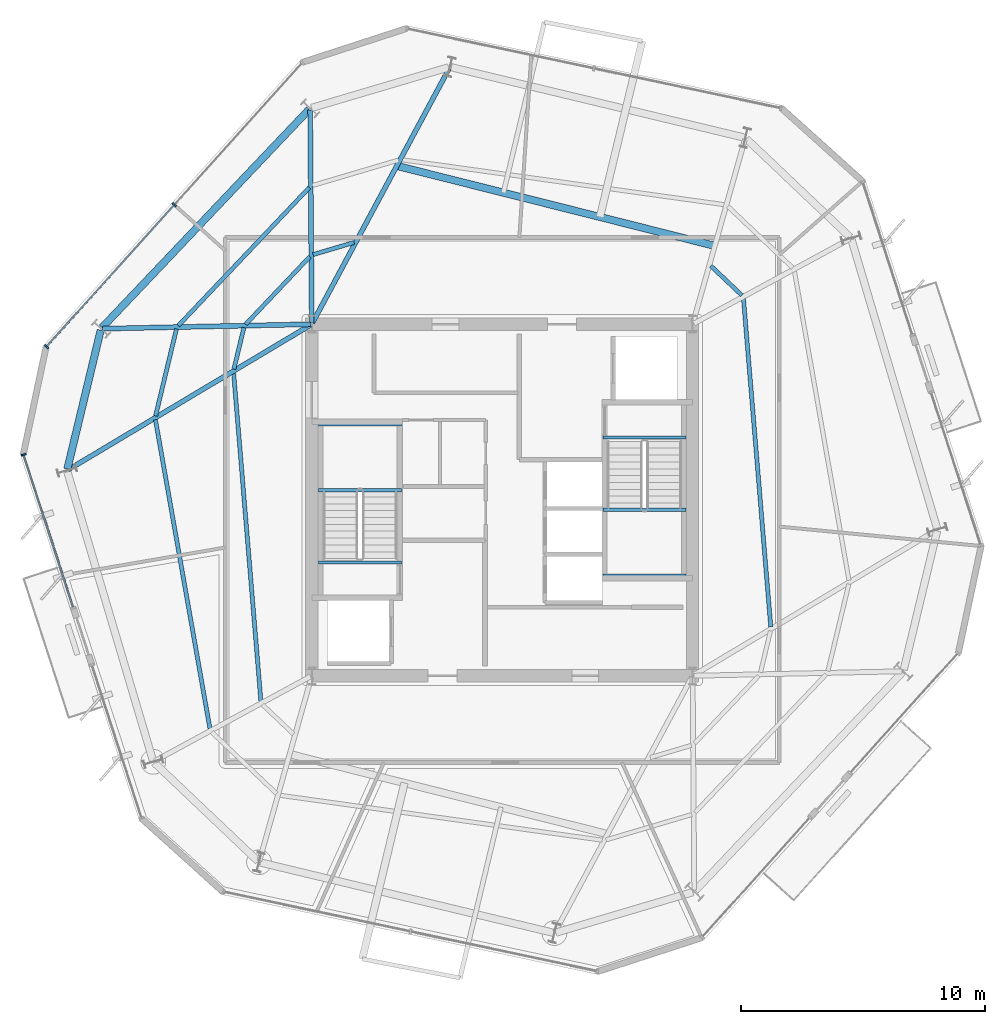
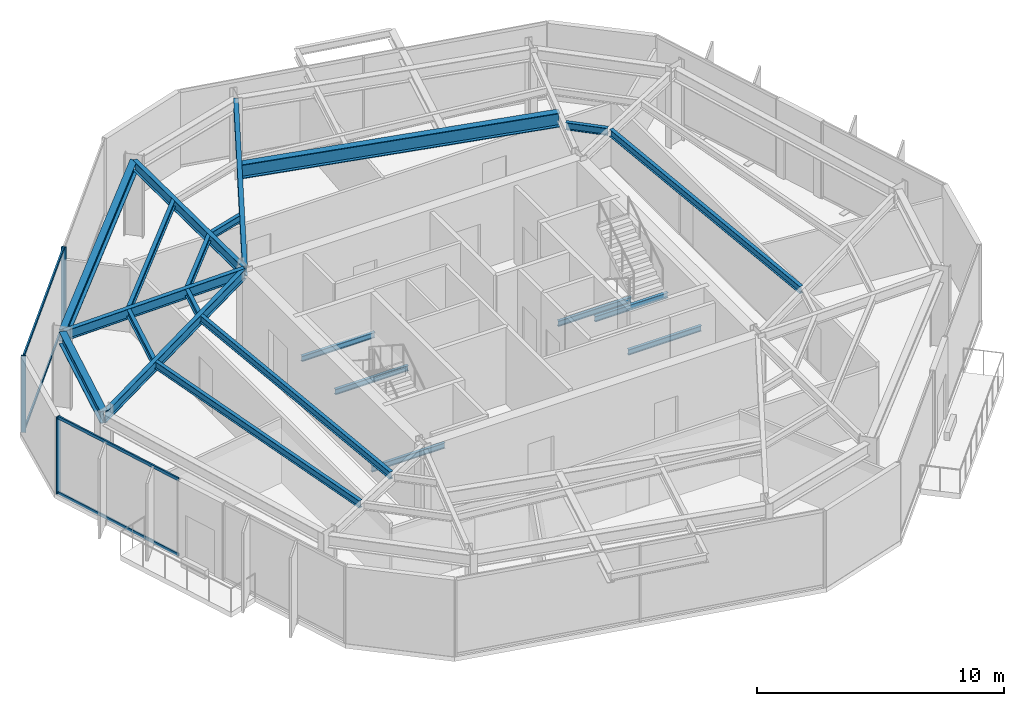
# One storey, part 3 of 11: 22 beams, 7 members, 2 elements without a shape of their own.
"""IFC4 building model written with IfcOpenShell, lengths in metres."""

import ifcopenshell
import ifcopenshell.guid

model = None  # the IFC model being written
_history = None  # IfcOwnerHistory: only IFC2X3 demands one
_inside = {}  # id of a spatial element -> (the spatial element, [elements in it])
_under = {}  # id of a project, library or spatial element -> (it, [spatial elements below it])
_declared = {}  # id of a project -> (the project, [libraries it declares])
_typed = {}  # id of a type object -> (the type object, [elements of that type])
_made_of = {}  # id of a material, layer set ... -> (it, [elements and type objects made of it])


def new_model(schema):
    """Start an empty IFC model of exactly this schema.

    Asked for "IFC4X3", IfcOpenShell would pick the latest addendum, in which some entities
    have other attributes; the version numbers below select the first issue.
    IFC2X3 requires an IfcOwnerHistory on every rooted entity: one is made here for all.
    """
    global model, _history
    if schema == "IFC4X3":
        model = ifcopenshell.file(schema_version=(4, 3, 0, 0))
    else:
        model = ifcopenshell.file(schema=schema)
    _inside.clear()
    _under.clear()
    _declared.clear()
    _typed.clear()
    _made_of.clear()
    _history = None
    if model.schema == "IFC2X3":
        org = make("IfcOrganization", Name="unknown")
        user = make(
            "IfcPersonAndOrganization",
            ThePerson=make("IfcPerson", FamilyName="unknown"),
            TheOrganization=org,
        )
        app = make(
            "IfcApplication",
            ApplicationDeveloper=org,
            Version="unknown",
            ApplicationFullName="unknown",
            ApplicationIdentifier="unknown",
        )
        _history = make(
            "IfcOwnerHistory",
            OwningUser=user,
            OwningApplication=app,
            ChangeAction="ADDED",
            CreationDate=0,
        )
    return model


def make(cls, **values):
    """One entity of the class cls with the attributes given. An attribute that is None is left unset."""
    return model.create_entity(
        cls, **{name: value for name, value in values.items() if value is not None}
    )


def rooted(cls, **values):
    """An entity with a GlobalId (a new one), such as an element, a storey or a relation."""
    return make(cls, GlobalId=ifcopenshell.guid.new(), OwnerHistory=_history, **values)


def si_unit(unit_type, name, prefix=None):
    """IfcSIUnit, for example si_unit("LENGTHUNIT", "METRE", prefix="MILLI")."""
    return make("IfcSIUnit", UnitType=unit_type, Prefix=prefix, Name=name)


def assignment(units):
    """IfcUnitAssignment: the units of a project."""
    return None if units is None else make("IfcUnitAssignment", Units=units)


def point(xyz):
    """IfcCartesianPoint."""
    return None if xyz is None else make("IfcCartesianPoint", Coordinates=xyz)


def direction(xyz):
    """IfcDirection."""
    return None if xyz is None else make("IfcDirection", DirectionRatios=xyz)


def frame(location, z_axis=None, x_axis=None):
    """IfcAxis2Placement3D, a coordinate frame: its origin and axes. An axis left out is left unset."""
    return make(
        "IfcAxis2Placement3D",
        Location=point(location),
        Axis=direction(z_axis),
        RefDirection=direction(x_axis),
    )


def frame_2d(location, x_axis=None):
    """IfcAxis2Placement2D, a coordinate frame in the plane: its origin and x axis."""
    return make(
        "IfcAxis2Placement2D", Location=point(location), RefDirection=direction(x_axis)
    )


def origin():
    """The frame at (0, 0, 0) with its axes left unset."""
    return frame((0.0, 0.0, 0.0))


def origin_2d():
    """The frame at (0, 0) in the plane with its x axis left unset."""
    return frame_2d((0.0, 0.0))


def place(relative_to, where):
    """IfcLocalPlacement: puts the frame where relative to a parent placement (None: the world)."""
    return make(
        "IfcLocalPlacement", PlacementRelTo=relative_to, RelativePlacement=where
    )


def context(
    kind, dimensions, precision=None, world=None, true_north=None, identifier=None
):
    """IfcGeometricRepresentationContext, for example the 3D "Model" context."""
    return make(
        "IfcGeometricRepresentationContext",
        ContextIdentifier=identifier,
        ContextType=kind,
        CoordinateSpaceDimension=dimensions,
        Precision=precision,
        WorldCoordinateSystem=world,
        TrueNorth=true_north,
    )


def subcontext(parent, identifier, kind, view, scale=None):
    """IfcGeometricRepresentationSubContext, for example "Body" below "Model"."""
    return make(
        "IfcGeometricRepresentationSubContext",
        ContextIdentifier=identifier,
        ContextType=kind,
        ParentContext=parent,
        TargetScale=scale,
        TargetView=view,
    )


def project(units=None, contexts=None):
    """IfcProject with its units and contexts."""
    return rooted(
        "IfcProject",
        Name="project",
        RepresentationContexts=contexts,
        UnitsInContext=assignment(units),
    )


def spatial(cls, under=None, at=None, **own):
    """A site, building, storey or space (cls), placed at a placement, below another one or the project."""
    s = rooted(cls, ObjectPlacement=at, **own)
    if under is not None:
        _under.setdefault(under.id(), (under, []))[1].append(s)
    return s


def profile(cls, at=None, kind="AREA", **sizes):
    """A parametric profile (cls). Its sizes go by their IFC names, for example OverallWidth=200.0."""
    return make(cls, ProfileType=kind, Position=at, **sizes)


def rectangle(**sizes):
    """IfcRectangleProfileDef."""
    return profile("IfcRectangleProfileDef", **sizes)


def i_section(**sizes):
    """IfcIShapeProfileDef."""
    return profile("IfcIShapeProfileDef", **sizes)


def extrude(swept, where, along, depth):
    """IfcExtrudedAreaSolid: the profile swept, set in the frame where, extruded along a direction by depth."""
    return make(
        "IfcExtrudedAreaSolid",
        SweptArea=swept,
        Position=where,
        ExtrudedDirection=direction(along),
        Depth=depth,
    )


def shape(context_of_items, identifier, shape_type, items):
    """IfcShapeRepresentation: the items that make up one representation, for example the "Body"."""
    return make(
        "IfcShapeRepresentation",
        ContextOfItems=context_of_items,
        RepresentationIdentifier=identifier,
        RepresentationType=shape_type,
        Items=items,
    )


def material(Name=None, Category=None):
    """IfcMaterial."""
    return make("IfcMaterial", Name=Name, Category=Category)


def layer(
    of_material, thickness, ventilated=None, Name=None, Category=None, Priority=None
):
    """IfcMaterialLayer: one layer of a wall or slab, of a material (None: an air gap)."""
    return make(
        "IfcMaterialLayer",
        Material=of_material,
        LayerThickness=thickness,
        IsVentilated=ventilated,
        Name=Name,
        Category=Category,
        Priority=Priority,
    )


def layer_set(layers, Name=None):
    """IfcMaterialLayerSet."""
    return make("IfcMaterialLayerSet", MaterialLayers=layers, LayerSetName=Name)


def material_profile(
    of_material, cross_section, Name=None, Category=None, Priority=None
):
    """IfcMaterialProfile: a cross section and its material."""
    return make(
        "IfcMaterialProfile",
        Name=Name,
        Material=of_material,
        Profile=cross_section,
        Priority=Priority,
        Category=Category,
    )


def profile_set(profiles, Name=None, composite=None):
    """IfcMaterialProfileSet."""
    return make(
        "IfcMaterialProfileSet",
        Name=Name,
        MaterialProfiles=profiles,
        CompositeProfile=composite,
    )


def made_of(thing, what):
    """Note that an element or type object is made of a material, layer set ...; save() writes the relation."""
    if what is not None:
        _made_of.setdefault(what.id(), (what, []))[1].append(thing)
    return thing


def type_object(cls, material=None, **own):
    """A type object (cls), such as IfcWallType, which elements share."""
    return made_of(rooted(cls, **own), material)


def element(
    cls,
    number,
    at=None,
    inside=None,
    cuts=None,
    type_object=None,
    material=None,
    context=None,
    identifier="Body",
    shape_type=None,
    held_by="IfcProductDefinitionShape",
    body=None,
    shapes=None,
    **own,
):
    """One element of the class cls, such as IfcWall. Its Tag is "e" and its number.

    at: its placement. inside: the storey or other place that contains it. cuts: it is an
    opening in that element (IfcRelVoidsElement). A single representation is given by context,
    identifier, shape_type and body (its items); several are given by shapes. held_by: the class
    of the entity that holds the representations. save() writes the other relations.
    """
    e = rooted(cls, Tag="e%d" % number, ObjectPlacement=at, **own)
    if body is not None:
        shapes = [shape(context, identifier, shape_type, body)]
    if shapes is not None:
        e.Representation = make(held_by, Representations=shapes)
    if inside is not None:
        _inside.setdefault(inside.id(), (inside, []))[1].append(e)
    if cuts is not None:
        rooted(
            "IfcRelVoidsElement", RelatingBuildingElement=cuts, RelatedOpeningElement=e
        )
    if type_object is not None:
        _typed.setdefault(type_object.id(), (type_object, []))[1].append(e)
    return made_of(e, material)


def aggregate(whole, parts):
    """IfcRelAggregates: a whole, such as a stair, and the parts it consists of."""
    return rooted("IfcRelAggregates", RelatingObject=whole, RelatedObjects=parts)


def save(model, path):
    """Write the relations noted so far, then the file.

    IfcRelAggregates (storeys below a building ...), IfcRelContainedInSpatialStructure (elements
    in a storey), IfcRelDefinesByType, IfcRelAssociatesMaterial and IfcRelDeclares: one each for
    every whole, place, type object, material and project.
    """
    for whole, parts in _under.values():
        aggregate(whole, parts)
    for where, things in _inside.values():
        rooted(
            "IfcRelContainedInSpatialStructure",
            RelatedElements=things,
            RelatingStructure=where,
        )
    for kind, things in _typed.values():
        rooted("IfcRelDefinesByType", RelatedObjects=things, RelatingType=kind)
    for what, things in _made_of.values():
        rooted("IfcRelAssociatesMaterial", RelatedObjects=things, RelatingMaterial=what)
    for by, libraries in _declared.values():
        rooted("IfcRelDeclares", RelatingContext=by, RelatedDefinitions=libraries)
    model.write(path)


model = new_model("IFC4")

# Units and contexts
model_context = context("Model", 3, precision=1e-05, world=origin(), true_north=direction((0.0, 1.0)))
body_context = subcontext(model_context, "Body", "Model", "MODEL_VIEW")
ifc_project = project(units=[si_unit("LENGTHUNIT", "METRE"), si_unit("AREAUNIT", "SQUARE_METRE"), si_unit("VOLUMEUNIT", "CUBIC_METRE"), si_unit("PLANEANGLEUNIT", "RADIAN"), si_unit("MASSUNIT", "GRAM", prefix="KILO")], contexts=[model_context])

# Site, building, storey
site_placement = place(None, origin())
site = spatial("IfcSite", under=ifc_project, at=site_placement, CompositionType="ELEMENT")
building_placement = place(site_placement, origin())
building = spatial("IfcBuilding", under=site, at=building_placement, Name="Kranzbogen Civic Tower", CompositionType="ELEMENT")
storey_placement = place(building_placement, frame((0.0, 0.0, 216.800048828125)))
storey = spatial("IfcBuildingStorey", under=building, at=storey_placement, Name="L52", CompositionType="ELEMENT", Elevation=216.800048828125)

# Curtain wall, members
ifc_material_1 = material(Name="Pale Anodised Aluminium", Category="aluminium")
ifc_layer = layer(ifc_material_1, 0.219970703125, Name="Pale Anodised Aluminium")
ifc_layer_set = layer_set([ifc_layer], Name="Pale Anodised Aluminium")
curtain_wall_type = type_object("IfcCurtainWallType", Name="Zone 3 Stick Curtain Wall System CW-04", PredefinedType="USERDEFINED", material=ifc_layer_set)
curtain_wall_1_placement = place(storey_placement, origin())
curtain_wall_1 = element("IfcCurtainWall", 1, at=curtain_wall_1_placement, inside=storey, type_object=curtain_wall_type, Name="L52 curtain wall CW-L52-F2", ObjectType="STICK CURTAIN WALL", PredefinedType="USERDEFINED")
ifc_material_profile_1 = material_profile(ifc_material_1, rectangle(XDim=0.070068359375, YDim=0.199951171875, at=origin_2d()), Name="ALU-M 70x200")
ifc_profile_set_1 = profile_set([ifc_material_profile_1], Name="Pale Anodised Aluminium")
member_type_1 = type_object("IfcMemberType", Name="Curtain Wall Mullion ALU-M 70x200", PredefinedType="MULLION", material=ifc_profile_set_1)
member_1_placement = place(storey_placement, frame((11.570068359375, 37.092529296875, 0.0), z_axis=(0.0, 0.0, 1.0), x_axis=(-0.669115965392, -0.743158008002, 0.0)))
member_1 = element("IfcMember", 2, at=member_1_placement, type_object=member_type_1, Name="CW-04 mullion 2", PredefinedType="MULLION", context=body_context, shape_type="SweptSolid", body=[
    extrude(rectangle(XDim=0.070068359375, YDim=0.199951171875, at=origin_2d()), origin(), (0.0, 0.0, 1.0), 3.780029296875),
])
member_2_placement = place(storey_placement, frame((6.3349609375, 31.2783203125, 0.0), z_axis=(0.0, 0.0, 1.0), x_axis=(-0.669115965392, -0.743158008002, 0.0)))
member_2 = element("IfcMember", 3, at=member_2_placement, type_object=member_type_1, Name="CW-04 mullion 3", PredefinedType="MULLION", context=body_context, shape_type="SweptSolid", body=[
    extrude(rectangle(XDim=0.070068359375, YDim=0.199951171875, at=origin_2d()), origin(), (0.0, 0.0, 1.0), 3.780029296875),
])

# Curtain wall, member
curtain_wall_2_placement = place(storey_placement, origin())
curtain_wall_2 = element("IfcCurtainWall", 4, at=curtain_wall_2_placement, inside=storey, type_object=curtain_wall_type, Name="L52 curtain wall CW-L52-F3-S1", ObjectType="STICK CURTAIN WALL", PredefinedType="USERDEFINED")
member_3_placement = place(storey_placement, frame((5.395263671875, 26.8564453125, 0.0), z_axis=(0.0, 0.0, 1.0), x_axis=(0.309004509725, -0.951060572713, 0.0)))
member_3 = element("IfcMember", 5, at=member_3_placement, type_object=member_type_1, Name="CW-04 mullion 1", PredefinedType="MULLION", context=body_context, shape_type="SweptSolid", body=[
    extrude(rectangle(XDim=0.070068359375, YDim=0.199951171875, at=origin_2d()), origin(), (0.0, 0.0, 1.0), 3.780029296875),
])

# Member
ifc_material_profile_2 = material_profile(ifc_material_1, rectangle(XDim=0.070068359375, YDim=0.14990234375, at=origin_2d()), Name="ALU-T 70x150")
ifc_profile_set_2 = profile_set([ifc_material_profile_2], Name="Pale Anodised Aluminium")
member_type_2 = type_object("IfcMemberType", Name="Curtain Wall Transom ALU-T 70x150", PredefinedType="USERDEFINED", material=ifc_profile_set_2)
member_4_placement = place(storey_placement, frame((11.5498046875, 37.0703125, 0.030029296875), z_axis=(-0.669091551138, -0.743179989098, 0.0), x_axis=(0.743179989098, -0.669091551138, 0.0)))
member_4 = element("IfcMember", 6, at=member_4_placement, type_object=member_type_2, Name="CW-04 transom 2.1", ObjectType="TRANSOM", PredefinedType="USERDEFINED", context=body_context, shape_type="SweptSolid", body=[
    extrude(rectangle(XDim=0.070068359375, YDim=0.14990234375, at=origin_2d()), origin(), (0.0, 0.0, 1.0), 7.763671875),
])

member_5_placement = place(storey_placement, frame((11.5498046875, 37.0703125, 3.75), z_axis=(-0.669091551138, -0.743179989098, 0.0), x_axis=(0.743179989098, -0.669091551138, 0.0)))
member_5 = element("IfcMember", 7, at=member_5_placement, type_object=member_type_2, Name="CW-04 transom 2.2", ObjectType="TRANSOM", PredefinedType="USERDEFINED", context=body_context, shape_type="SweptSolid", body=[
    extrude(rectangle(XDim=0.070068359375, YDim=0.14990234375, at=origin_2d()), origin(), (0.0, 0.0, 1.0), 7.763671875),
])

aggregate(curtain_wall_1, [member_1, member_2, member_4, member_5])

member_6_placement = place(storey_placement, frame((5.404541015625, 26.827880859375, 0.030029296875), z_axis=(0.308988058786, -0.951065917551, 0.0), x_axis=(0.951065917551, 0.308988058786, 0.0)))
member_6 = element("IfcMember", 8, at=member_6_placement, type_object=member_type_2, Name="CW-04 transom 1.1", ObjectType="TRANSOM", PredefinedType="USERDEFINED", context=body_context, shape_type="SweptSolid", body=[
    extrude(rectangle(XDim=0.070068359375, YDim=0.14990234375, at=origin_2d()), origin(), (0.0, 0.0, 1.0), 6.53369140625),
])

member_7_placement = place(storey_placement, frame((5.404541015625, 26.827880859375, 3.75), z_axis=(0.308988058786, -0.951065917551, 0.0), x_axis=(0.951065917551, 0.308988058786, 0.0)))
member_7 = element("IfcMember", 9, at=member_7_placement, type_object=member_type_2, Name="CW-04 transom 1.2", ObjectType="TRANSOM", PredefinedType="USERDEFINED", context=body_context, shape_type="SweptSolid", body=[
    extrude(rectangle(XDim=0.070068359375, YDim=0.14990234375, at=origin_2d()), origin(), (0.0, 0.0, 1.0), 6.53369140625),
])

aggregate(curtain_wall_2, [member_3, member_6, member_7])

# Beams
ifc_material_2 = material(Name="Steel S355", Category="steel")
ifc_material_profile_3 = material_profile(ifc_material_2, i_section(OverallWidth=0.300048828125, OverallDepth=0.60009765625, WebThickness=0.015380859375, FlangeThickness=0.030029296875, at=origin_2d()), Name="HEB 600")
ifc_profile_set_3 = profile_set([ifc_material_profile_3], Name="Steel S355")
beam_type_1 = type_object("IfcBeamType", Name="Perimeter Tube Spandrel Beam HEB 600", PredefinedType="SPANDREL", material=ifc_profile_set_3)
beam_1_placement = place(storey_placement, frame((17.092041015625, 41.0, 3.47998046875), z_axis=(-0.688373497874, -0.725356414065, 0.0), x_axis=(0.725356414065, -0.688373497874, 0.0)))
element("IfcBeam", 10, at=beam_1_placement, inside=storey, type_object=beam_type_1, Name="L52 perimeter spandrel beam 10", PredefinedType="SPANDREL", context=body_context, shape_type="SweptSolid", body=[
    extrude(i_section(OverallWidth=0.300048828125, OverallDepth=0.60009765625, WebThickness=0.015380859375, FlangeThickness=0.030029296875, at=origin_2d()), origin(), (0.0, 0.0, 1.0), 12.324951171875),
])
beam_2_placement = place(storey_placement, frame((8.552978515625, 31.9580078125, 3.47998046875), z_axis=(-0.233554380434, -0.972343741369, 0.0), x_axis=(0.972343741369, -0.233554380434, 0.0)))
element("IfcBeam", 11, at=beam_2_placement, inside=storey, type_object=beam_type_1, Name="L52 perimeter spandrel beam 11", PredefinedType="SPANDREL", context=body_context, shape_type="SweptSolid", body=[
    extrude(i_section(OverallWidth=0.300048828125, OverallDepth=0.60009765625, WebThickness=0.015380859375, FlangeThickness=0.030029296875, at=origin_2d()), origin(), (0.0, 0.0, 1.0), 5.852783203125),
])
ifc_material_profile_4 = material_profile(ifc_material_2, i_section(OverallWidth=0.300048828125, OverallDepth=0.699951171875, WebThickness=0.01708984375, FlangeThickness=0.031982421875, at=origin_2d()), Name="HEB 700")
ifc_profile_set_4 = profile_set([ifc_material_profile_4], Name="Steel S355")
beam_type_2 = type_object("IfcBeamType", Name="Perimeter Tube Spandrel Beam HEB 700", PredefinedType="SPANDREL", material=ifc_profile_set_4)
beam_3_placement = place(storey_placement, frame((33.7080078125, 35.408935546875, 3.39990234375), z_axis=(-0.969754167823, 0.244083702834, 0.0), x_axis=(-0.244083702834, -0.969754167823, 0.0)))
element("IfcBeam", 12, at=beam_3_placement, inside=storey, type_object=beam_type_2, Name="L53 balcony back-span header girder L53-TB1", PredefinedType="SPANDREL", context=body_context, shape_type="SweptSolid", body=[
    extrude(i_section(OverallWidth=0.300048828125, OverallDepth=0.699951171875, WebThickness=0.01708984375, FlangeThickness=0.031982421875, at=origin_2d()), origin(), (0.0, 0.0, 1.0), 13.43017578125),
])
ifc_material_profile_5 = material_profile(ifc_material_2, i_section(OverallWidth=0.199951171875, OverallDepth=0.5, WebThickness=0.01025390625, FlangeThickness=0.01611328125, at=origin_2d()), Name="IPE 500")
ifc_profile_set_5 = profile_set([ifc_material_profile_5], Name="Steel S355")
beam_type_3 = type_object("IfcBeamType", Name="Radial Tower Floor Girder IPE 500", PredefinedType="BEAM", material=ifc_profile_set_5)
beam_4_placement = place(storey_placement, frame((22.83203125, 42.68701171875, 3.530029296875), z_axis=(-0.473160413549, -0.880976289721, 0.0), x_axis=(0.880976289721, -0.473160413549, 0.0)))
element("IfcBeam", 13, at=beam_4_placement, inside=storey, type_object=beam_type_3, Name="L52 radial floor girder 09", PredefinedType="BEAM", context=body_context, shape_type="SweptSolid", body=[
    extrude(i_section(OverallWidth=0.199951171875, OverallDepth=0.5, WebThickness=0.01025390625, FlangeThickness=0.01611328125, at=origin_2d()), origin(), (0.0, 0.0, 1.0), 11.84375),
])
beam_5_placement = place(storey_placement, frame((17.133056640625, 40.98388671875, 3.530029296875), z_axis=(0.007667756557, -0.999970602323, 0.0), x_axis=(0.999970602323, 0.007667756557, 0.0)))
element("IfcBeam", 14, at=beam_5_placement, inside=storey, type_object=beam_type_3, Name="L52 radial floor girder 10", PredefinedType="BEAM", context=body_context, shape_type="SweptSolid", body=[
    extrude(i_section(OverallWidth=0.199951171875, OverallDepth=0.5, WebThickness=0.01025390625, FlangeThickness=0.01611328125, at=origin_2d()), origin(), (0.0, 0.0, 1.0), 8.72412109375),
])
beam_6_placement = place(storey_placement, frame((8.626953125, 32.01708984375, 3.530029296875), z_axis=(0.99977183191, 0.021360808018, 0.0), x_axis=(-0.021360808018, 0.99977183191, 0.0)))
element("IfcBeam", 15, at=beam_6_placement, inside=storey, type_object=beam_type_3, Name="L52 radial floor girder 11", PredefinedType="BEAM", context=body_context, shape_type="SweptSolid", body=[
    extrude(i_section(OverallWidth=0.199951171875, OverallDepth=0.5, WebThickness=0.01025390625, FlangeThickness=0.01611328125, at=origin_2d()), origin(), (0.0, 0.0, 1.0), 8.514892578125),
])
beam_7_placement = place(storey_placement, frame((7.22412109375, 26.239990234375, 3.530029296875), z_axis=(0.858458551809, 0.512882944565, 0.0), x_axis=(-0.512882944565, 0.858458551809, 0.0)))
element("IfcBeam", 16, at=beam_7_placement, inside=storey, type_object=beam_type_3, Name="L52 radial floor girder 12", PredefinedType="BEAM", context=body_context, shape_type="SweptSolid", body=[
    extrude(i_section(OverallWidth=0.199951171875, OverallDepth=0.5, WebThickness=0.01025390625, FlangeThickness=0.01611328125, at=origin_2d()), origin(), (0.0, 0.0, 1.0), 11.56005859375),
])
ifc_material_profile_6 = material_profile(ifc_material_2, i_section(OverallWidth=0.169921875, OverallDepth=0.360107421875, WebThickness=0.008056640625, FlangeThickness=0.0126953125, at=origin_2d()), Name="IPE 360")
ifc_profile_set_6 = profile_set([ifc_material_profile_6], Name="Steel S355")
beam_type_4 = type_object("IfcBeamType", Name="Secondary Composite Floor Joist IPE 360", PredefinedType="JOIST", material=ifc_profile_set_6)
beam_8_placement = place(storey_placement, frame((36.001953125, 19.797119140625, 3.599853515625), z_axis=(-0.082825426692, 0.996564071544, 0.0), x_axis=(-0.996564071544, -0.082825426692, 0.0)))
element("IfcBeam", 17, at=beam_8_placement, inside=storey, type_object=beam_type_4, Name="L52 secondary floor joist 2.06", PredefinedType="JOIST", context=body_context, shape_type="SweptSolid", body=[
    extrude(i_section(OverallWidth=0.169921875, OverallDepth=0.360107421875, WebThickness=0.008056640625, FlangeThickness=0.0126953125, at=origin_2d()), origin(), (0.0, 0.0, 1.0), 13.497314453125),
])
beam_9_placement = place(storey_placement, frame((34.820068359375, 33.383056640625, 3.599853515625), z_axis=(-0.725479767774, 0.688243493649, 0.0), x_axis=(-0.688243493649, -0.725479767774, 0.0)))
element("IfcBeam", 18, at=beam_9_placement, inside=storey, type_object=beam_type_4, Name="L52 secondary floor joist 2.07", PredefinedType="JOIST", context=body_context, shape_type="SweptSolid", body=[
    extrude(i_section(OverallWidth=0.169921875, OverallDepth=0.360107421875, WebThickness=0.008056640625, FlangeThickness=0.0126953125, at=origin_2d()), origin(), (0.0, 0.0, 1.0), 1.75048828125),
])
beam_10_placement = place(storey_placement, frame((18.93408203125, 35.550048828125, 3.599853515625), z_axis=(-0.958871214757, -0.283841493638, 0.0), x_axis=(0.283841493638, -0.958871214757, 0.0)))
element("IfcBeam", 19, at=beam_10_placement, inside=storey, type_object=beam_type_4, Name="L52 secondary floor joist 2.09", PredefinedType="JOIST", context=body_context, shape_type="SweptSolid", body=[
    extrude(i_section(OverallWidth=0.169921875, OverallDepth=0.360107421875, WebThickness=0.008056640625, FlangeThickness=0.0126953125, at=origin_2d()), origin(), (0.0, 0.0, 1.0), 1.751220703125),
])
beam_11_placement = place(storey_placement, frame((17.10205078125, 37.802001953125, 3.599853515625), z_axis=(-0.688282381634, -0.725442873789, 0.0), x_axis=(0.725442873789, -0.688282381634, 0.0)))
element("IfcBeam", 20, at=beam_11_placement, inside=storey, type_object=beam_type_4, Name="L52 secondary floor joist 1.10", PredefinedType="JOIST", context=body_context, shape_type="SweptSolid", body=[
    extrude(i_section(OverallWidth=0.169921875, OverallDepth=0.360107421875, WebThickness=0.008056640625, FlangeThickness=0.0126953125, at=origin_2d()), origin(), (0.0, 0.0, 1.0), 7.804931640625),
])
beam_12_placement = place(storey_placement, frame((17.123046875, 34.971923828125, 3.599853515625), z_axis=(-0.688175084876, -0.725544659243, 0.0), x_axis=(0.725544659243, -0.688175084876, 0.0)))
element("IfcBeam", 21, at=beam_12_placement, inside=storey, type_object=beam_type_4, Name="L52 secondary floor joist 2.10", PredefinedType="JOIST", context=body_context, shape_type="SweptSolid", body=[
    extrude(i_section(OverallWidth=0.169921875, OverallDepth=0.360107421875, WebThickness=0.008056640625, FlangeThickness=0.0126953125, at=origin_2d()), origin(), (0.0, 0.0, 1.0), 3.82177734375),
])
beam_13_placement = place(storey_placement, frame((11.656005859375, 32.00390625, 3.599853515625), z_axis=(-0.233534367714, -0.972348548154, 0.0), x_axis=(0.972348548154, -0.233534367714, 0.0)))
element("IfcBeam", 22, at=beam_13_placement, inside=storey, type_object=beam_type_4, Name="L52 secondary floor joist 1.11", PredefinedType="JOIST", context=body_context, shape_type="SweptSolid", body=[
    extrude(i_section(OverallWidth=0.169921875, OverallDepth=0.360107421875, WebThickness=0.008056640625, FlangeThickness=0.0126953125, at=origin_2d()), origin(), (0.0, 0.0, 1.0), 3.6611328125),
])
beam_14_placement = place(storey_placement, frame((14.4189453125, 32.06298828125, 3.599853515625), z_axis=(-0.233631438607, -0.972325228972, 0.0), x_axis=(0.972325228972, -0.233631438607, 0.0)))
element("IfcBeam", 23, at=beam_14_placement, inside=storey, type_object=beam_type_4, Name="L52 secondary floor joist 2.11", PredefinedType="JOIST", context=body_context, shape_type="SweptSolid", body=[
    extrude(i_section(OverallWidth=0.169921875, OverallDepth=0.360107421875, WebThickness=0.008056640625, FlangeThickness=0.0126953125, at=origin_2d()), origin(), (0.0, 0.0, 1.0), 1.750244140625),
])
beam_15_placement = place(storey_placement, frame((10.7958984375, 28.287109375, 3.599853515625), z_axis=(0.173805911364, -0.984779927281, 0.0), x_axis=(0.984779927281, 0.173805911364, 0.0)))
element("IfcBeam", 24, at=beam_15_placement, inside=storey, type_object=beam_type_4, Name="L52 secondary floor joist 1.12", PredefinedType="JOIST", context=body_context, shape_type="SweptSolid", body=[
    extrude(i_section(OverallWidth=0.169921875, OverallDepth=0.360107421875, WebThickness=0.008056640625, FlangeThickness=0.0126953125, at=origin_2d()), origin(), (0.0, 0.0, 1.0), 12.85986328125),
])
beam_16_placement = place(storey_placement, frame((13.998046875, 30.202880859375, 3.599853515625), z_axis=(0.082825426692, -0.996564071544, 0.0), x_axis=(0.996564071544, 0.082825426692, 0.0)))
element("IfcBeam", 25, at=beam_16_placement, inside=storey, type_object=beam_type_4, Name="L52 secondary floor joist 2.12", PredefinedType="JOIST", context=body_context, shape_type="SweptSolid", body=[
    extrude(i_section(OverallWidth=0.169921875, OverallDepth=0.360107421875, WebThickness=0.008056640625, FlangeThickness=0.0126953125, at=origin_2d()), origin(), (0.0, 0.0, 1.0), 13.497314453125),
])
ifc_material_profile_7 = material_profile(ifc_material_2, i_section(OverallWidth=0.135009765625, OverallDepth=0.27001953125, WebThickness=0.006591796875, FlangeThickness=0.01025390625, at=origin_2d()), Name="IPE 270")
ifc_profile_set_7 = profile_set([ifc_material_profile_7], Name="Steel S355")
beam_type_5 = type_object("IfcBeamType", Name="Stair Landing Support Beam IPE 270", PredefinedType="JOIST", material=ifc_profile_set_7)
for number, where, z_axis, x_axis, name in (
    (26, (20.8798828125, 22.43994140625, -0.35498046875), (-1.0, 0.0, 0.0), (0.0, -1.0, 0.0), "L52 ST-T1 stair floor header beam"),
    (27, (20.8798828125, 25.39990234375, 1.6650390625), (-1.0, 0.0, 0.0), (0.0, -1.0, 0.0), "L52 ST-T1 landing support beam 1.1"),
    (28, (20.8798828125, 28.10009765625, 1.6650390625), (-1.0, 0.0, 0.0), (0.0, -1.0, 0.0), "L52 ST-T1 landing support beam 1.2"),
    (29, (29.1201171875, 27.56005859375, -0.35498046875), (1.0, 0.0, 0.0), (0.0, 1.0, 0.0), "L52 ST-T2 stair floor header beam"),
    (30, (29.1201171875, 24.60009765625, 1.6650390625), (1.0, 0.0, 0.0), (0.0, 1.0, 0.0), "L52 ST-T2 landing support beam 1.1"),
    (31, (29.1201171875, 21.89990234375, 1.6650390625), (1.0, 0.0, 0.0), (0.0, 1.0, 0.0), "L52 ST-T2 landing support beam 1.2"),
):
    element("IfcBeam", number, at=place(storey_placement, frame(where, z_axis=z_axis, x_axis=x_axis)), inside=storey, type_object=beam_type_5, Name=name, PredefinedType="JOIST", context=body_context, shape_type="SweptSolid", body=[
        extrude(i_section(OverallWidth=0.135009765625, OverallDepth=0.27001953125, WebThickness=0.006591796875, FlangeThickness=0.01025390625, at=origin_2d()), origin(), (0.0, 0.0, 1.0), 3.409912109375),
    ])

save(model, "model.ifc")
